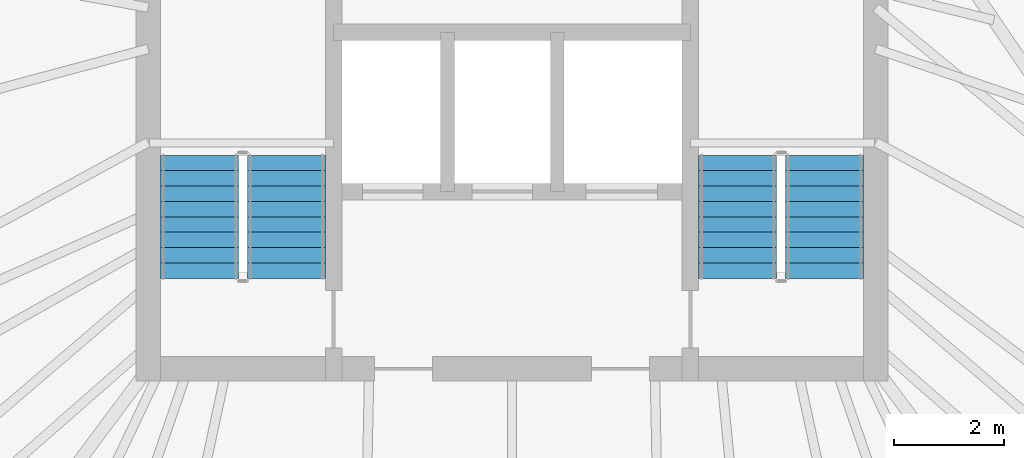
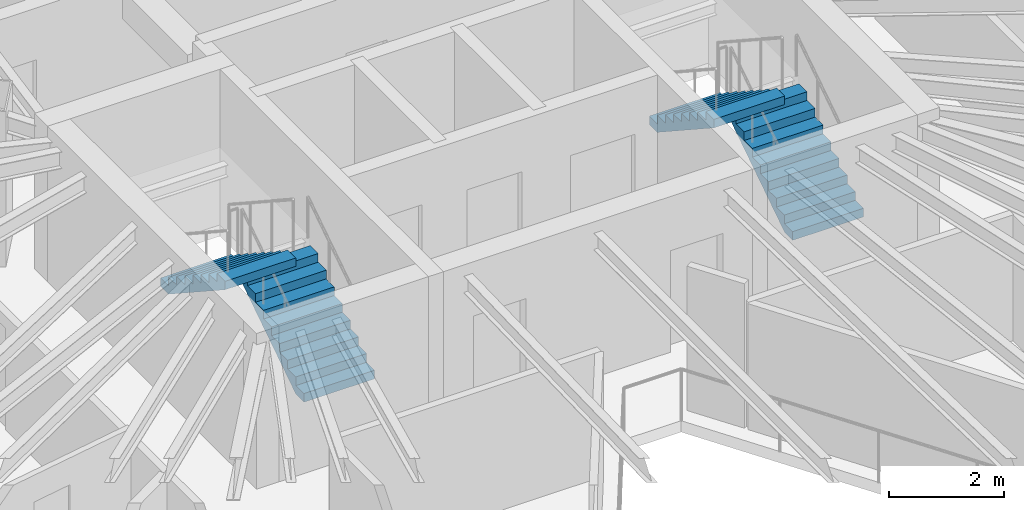
# One storey, part 31 of 36: 4 stair flights, 2 elements without a shape of their own.
"""IFC4 building model written with IfcOpenShell, lengths in metres."""

from ifc_helpers import new_model, si_unit, direction, frame, origin, place, context, subcontext, project, spatial, polyline, outline, extrude, material, type_object, element, aggregate, save


model = new_model("IFC4")

# Units and contexts
model_context = context("Model", 3, precision=1e-05, world=origin(), true_north=direction((0.0, 1.0)))
body_context = subcontext(model_context, "Body", "Model", "MODEL_VIEW")
ifc_project = project(units=[si_unit("LENGTHUNIT", "METRE"), si_unit("AREAUNIT", "SQUARE_METRE"), si_unit("VOLUMEUNIT", "CUBIC_METRE"), si_unit("PLANEANGLEUNIT", "RADIAN"), si_unit("MASSUNIT", "GRAM", prefix="KILO")], contexts=[model_context])

# Site, building, storey
site_placement = place(None, origin())
site = spatial("IfcSite", under=ifc_project, at=site_placement, CompositionType="ELEMENT")
building_placement = place(site_placement, origin())
building = spatial("IfcBuilding", under=site, at=building_placement, Name="Orvanel Arch Residences", CompositionType="ELEMENT")
storey_placement = place(building_placement, frame((0.0, 0.0, 23.60009765625)))
storey = spatial("IfcBuildingStorey", under=building, at=storey_placement, Name="L05", CompositionType="ELEMENT", Elevation=23.60009765625)

# Stair, stair flights
ifc_material = material(Name="Precast concrete N50 (50 MPa)", Category="concrete")
stair_type = type_object("IfcStairType", Name="STR-DOG-184", PredefinedType="USERDEFINED", material=ifc_material)
stair_1_placement = place(storey_placement, origin())
stair_1 = element("IfcStair", 1, at=stair_1_placement, inside=storey, type_object=stair_type, Name="L05 Fire-Isolated Core Exit Stair 1", ObjectType="TWO_RETURN_STAIR", PredefinedType="USERDEFINED")
stair_flight_type_1 = type_object("IfcStairFlightType", Name="SFL-C1-184", PredefinedType="STRAIGHT", material=ifc_material)
stair_flight_1_placement = place(storey_placement, frame((28.889892578125, 28.320068359375, 0.0), z_axis=(0.0, 0.0, 1.0), x_axis=(0.0, 1.0, 0.0)))
stair_flight_1 = element("IfcStairFlight", 2, at=stair_flight_1_placement, type_object=stair_flight_type_1, Name="ST-1 flight 1", NumberOfRisers=9, NumberOfTreads=8, PredefinedType="STRAIGHT", RiserHeight=0.183333333, TreadLength=0.28, context=body_context, shape_type="SweptSolid", body=[
    extrude(outline(polyline([(0.0, 0.0), (0.0, 0.183349609375), (0.280029296875, 0.183349609375), (0.280029296875, 0.36669921875), (0.56005859375, 0.36669921875), (0.56005859375, 0.550048828125), (0.840087890625, 0.550048828125), (0.840087890625, 0.7333984375), (1.1201171875, 0.7333984375), (1.1201171875, 0.916748046875), (1.39990234375, 0.916748046875), (1.39990234375, 1.10009765625), (1.679931640625, 1.10009765625), (1.679931640625, 1.283447265625), (1.9599609375, 1.283447265625), (1.9599609375, 1.466552734375), (2.239990234375, 1.466552734375), (2.239990234375, 1.64990234375), (2.239990234375, 1.28759765625), (0.273681640625, 0.0), (0.0, 0.0)])), frame((0.0, 0.7099609375, 0.0), z_axis=(0.0, -1.0, 0.0), x_axis=(1.0, 0.0, 0.0)), (0.0, 0.0, 1.0), 1.419921875),
])
stair_flight_2_placement = place(storey_placement, frame((27.31005859375, 30.56005859375, 1.64990234375), z_axis=(0.0, 0.0, 1.0), x_axis=(0.0, -1.0, 0.0)))
stair_flight_2 = element("IfcStairFlight", 3, at=stair_flight_2_placement, type_object=stair_flight_type_1, Name="ST-1 flight 2", NumberOfRisers=9, NumberOfTreads=8, PredefinedType="STRAIGHT", RiserHeight=0.183333333, TreadLength=0.28, context=body_context, shape_type="SweptSolid", body=[
    extrude(outline(polyline([(0.0, 0.0), (0.0, 0.183349609375), (0.280029296875, 0.183349609375), (0.280029296875, 0.36669921875), (0.56005859375, 0.36669921875), (0.56005859375, 0.550048828125), (0.840087890625, 0.550048828125), (0.840087890625, 0.7333984375), (1.1201171875, 0.7333984375), (1.1201171875, 0.916748046875), (1.39990234375, 0.916748046875), (1.39990234375, 1.10009765625), (1.679931640625, 1.10009765625), (1.679931640625, 1.283447265625), (1.9599609375, 1.283447265625), (1.9599609375, 1.466552734375), (2.239990234375, 1.466552734375), (2.239990234375, 1.64990234375), (2.239990234375, 1.28759765625), (0.273681640625, 0.0), (0.0, 0.0)])), frame((0.0, 0.7099609375, 0.0), z_axis=(0.0, -1.0, 0.0), x_axis=(1.0, 0.0, 0.0)), (0.0, 0.0, 1.0), 1.419921875),
])
aggregate(stair_1, [stair_flight_1, stair_flight_2])

stair_2_placement = place(storey_placement, origin())
stair_2 = element("IfcStair", 4, at=stair_2_placement, inside=storey, type_object=stair_type, Name="L05 Fire-Isolated Core Exit Stair 2", ObjectType="TWO_RETURN_STAIR", PredefinedType="USERDEFINED")
stair_flight_type_2 = type_object("IfcStairFlightType", Name="SFL-C2-184", PredefinedType="STRAIGHT", material=ifc_material)
stair_flight_3_placement = place(storey_placement, frame((38.68994140625, 28.320068359375, 0.0), z_axis=(0.0, 0.0, 1.0), x_axis=(0.0, 1.0, 0.0)))
stair_flight_3 = element("IfcStairFlight", 5, at=stair_flight_3_placement, type_object=stair_flight_type_2, Name="ST-2 flight 1", NumberOfRisers=9, NumberOfTreads=8, PredefinedType="STRAIGHT", RiserHeight=0.183333333, TreadLength=0.28, context=body_context, shape_type="SweptSolid", body=[
    extrude(outline(polyline([(0.0, 0.0), (0.0, 0.183349609375), (0.280029296875, 0.183349609375), (0.280029296875, 0.36669921875), (0.56005859375, 0.36669921875), (0.56005859375, 0.550048828125), (0.840087890625, 0.550048828125), (0.840087890625, 0.7333984375), (1.1201171875, 0.7333984375), (1.1201171875, 0.916748046875), (1.39990234375, 0.916748046875), (1.39990234375, 1.10009765625), (1.679931640625, 1.10009765625), (1.679931640625, 1.283447265625), (1.9599609375, 1.283447265625), (1.9599609375, 1.466552734375), (2.239990234375, 1.466552734375), (2.239990234375, 1.64990234375), (2.239990234375, 1.28759765625), (0.273681640625, 0.0), (0.0, 0.0)])), frame((0.0, 0.7099609375, 0.0), z_axis=(0.0, -1.0, 0.0), x_axis=(1.0, 0.0, 0.0)), (0.0, 0.0, 1.0), 1.419921875),
])
stair_flight_4_placement = place(storey_placement, frame((37.110107421875, 30.56005859375, 1.64990234375), z_axis=(0.0, 0.0, 1.0), x_axis=(0.0, -1.0, 0.0)))
stair_flight_4 = element("IfcStairFlight", 6, at=stair_flight_4_placement, type_object=stair_flight_type_2, Name="ST-2 flight 2", NumberOfRisers=9, NumberOfTreads=8, PredefinedType="STRAIGHT", RiserHeight=0.183333333, TreadLength=0.28, context=body_context, shape_type="SweptSolid", body=[
    extrude(outline(polyline([(0.0, 0.0), (0.0, 0.183349609375), (0.280029296875, 0.183349609375), (0.280029296875, 0.36669921875), (0.56005859375, 0.36669921875), (0.56005859375, 0.550048828125), (0.840087890625, 0.550048828125), (0.840087890625, 0.7333984375), (1.1201171875, 0.7333984375), (1.1201171875, 0.916748046875), (1.39990234375, 0.916748046875), (1.39990234375, 1.10009765625), (1.679931640625, 1.10009765625), (1.679931640625, 1.283447265625), (1.9599609375, 1.283447265625), (1.9599609375, 1.466552734375), (2.239990234375, 1.466552734375), (2.239990234375, 1.64990234375), (2.239990234375, 1.28759765625), (0.273681640625, 0.0), (0.0, 0.0)])), frame((0.0, 0.7099609375, 0.0), z_axis=(0.0, -1.0, 0.0), x_axis=(1.0, 0.0, 0.0)), (0.0, 0.0, 1.0), 1.419921875),
])
aggregate(stair_2, [stair_flight_3, stair_flight_4])

save(model, "model.ifc")
